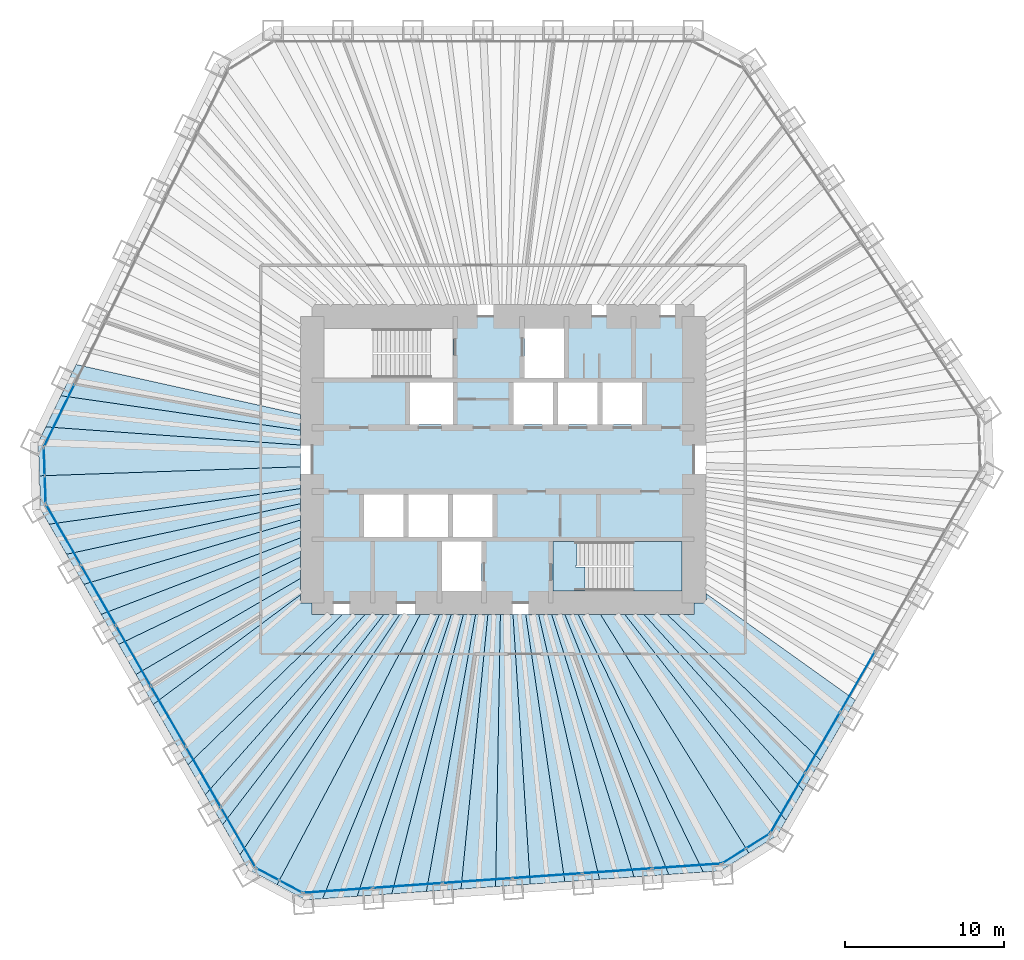
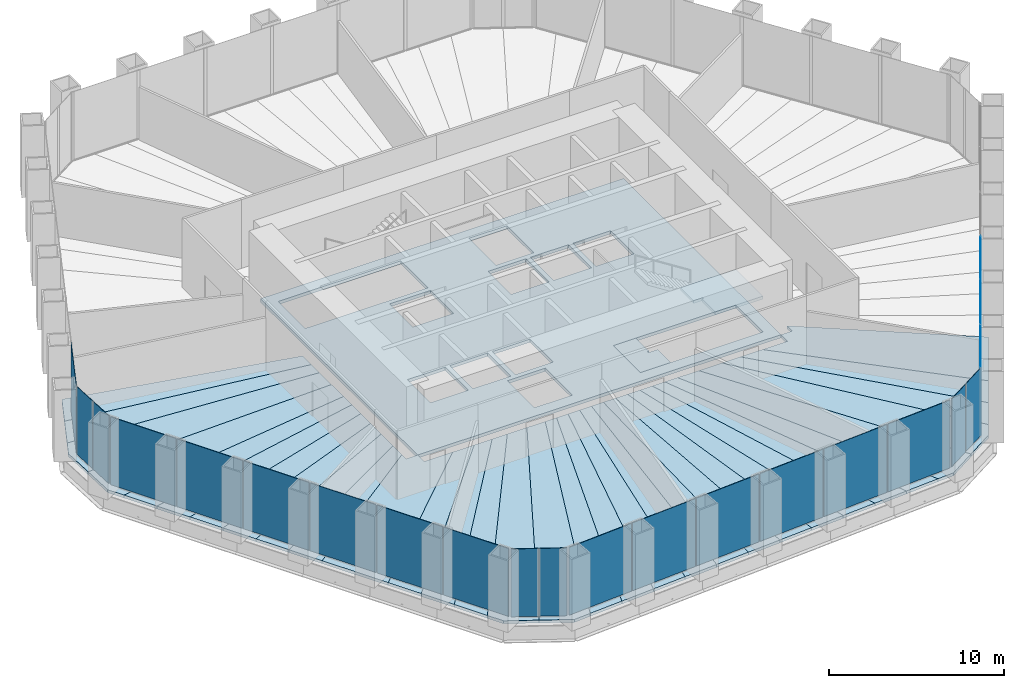
# One storey, part 8 of 13: 35 slabs, 22 plates, 8 elements without a shape of their own.
"""IFC4 building model written with IfcOpenShell, lengths in metres."""

from ifc_helpers import new_model, si_unit, direction, frame, origin, origin_2d, place, context, subcontext, project, spatial, polyline, rectangle, outline, extrude, material, layer, layer_set, type_object, element, aggregate, save


model = new_model("IFC4")

# Units and contexts
model_context = context("Model", 3, precision=1e-05, world=origin(), true_north=direction((0.0, 1.0)))
body_context = subcontext(model_context, "Body", "Model", "MODEL_VIEW")
ifc_project = project(units=[si_unit("LENGTHUNIT", "METRE"), si_unit("AREAUNIT", "SQUARE_METRE"), si_unit("VOLUMEUNIT", "CUBIC_METRE"), si_unit("PLANEANGLEUNIT", "RADIAN"), si_unit("MASSUNIT", "GRAM", prefix="KILO")], contexts=[model_context])

# Site, building, storey
site_placement = place(None, origin())
site = spatial("IfcSite", under=ifc_project, at=site_placement, CompositionType="ELEMENT")
building_placement = place(site_placement, origin())
building = spatial("IfcBuilding", under=site, at=building_placement, Name="Qingtian Harvest Tower", CompositionType="ELEMENT")
storey_placement = place(building_placement, frame((0.0, 0.0, 87.0)))
storey = spatial("IfcBuildingStorey", under=building, at=storey_placement, Name="L17", CompositionType="ELEMENT", Elevation=87.0)

# Slabs
ifc_material_1 = material(Name="Concrete fc' 35 MPa", Category="concrete")
ifc_layer_1 = layer(ifc_material_1, 0.199951171875)
ifc_layer_set_1 = layer_set([ifc_layer_1], Name="Composite floor slab FS20 200")
slab_type_1 = type_object("IfcSlabType", Name="Composite floor slab FS20 200", PredefinedType="FLOOR", material=ifc_layer_set_1)
slab_1_placement = place(storey_placement, frame((0.0, 0.0, -0.199951171875)))
element("IfcSlab", 1, at=slab_1_placement, inside=storey, type_object=slab_type_1, Name="Floor slab L17 panel D01", PredefinedType="FLOOR", context=body_context, shape_type="SweptSolid", body=[
    extrude(outline(polyline([(-29.157470703125, -1.018310546875), (-12.75, -0.447509765625), (-12.75, -1.822998046875), (-28.548583984375, -4.062255859375), (-29.08349609375, -3.135986328125), (-29.157470703125, -1.018310546875)])), origin(), (0.0, 0.0, 1.0), 0.199951171875),
])
slab_2_placement = place(storey_placement, frame((0.0, 0.0, -0.199951171875)))
element("IfcSlab", 2, at=slab_2_placement, inside=storey, type_object=slab_type_1, Name="Floor slab L17 panel D02", PredefinedType="FLOOR", context=body_context, shape_type="SweptSolid", body=[
    extrude(outline(polyline([(-12.75, -2.773681640625), (-27.45751953125, -5.9521484375), (-28.548583984375, -4.062255859375), (-12.75, -1.822998046875), (-12.75, -2.773681640625)])), origin(), (0.0, 0.0, 1.0), 0.199951171875),
])
slab_3_placement = place(storey_placement, frame((0.0, 0.0, -0.199951171875)))
element("IfcSlab", 3, at=slab_3_placement, inside=storey, type_object=slab_type_1, Name="Floor slab L17 panel D03", PredefinedType="FLOOR", context=body_context, shape_type="SweptSolid", body=[
    extrude(outline(polyline([(-12.75, -3.80322265625), (-26.366455078125, -7.842041015625), (-27.45751953125, -5.9521484375), (-12.75, -2.773681640625), (-12.75, -3.80322265625)])), origin(), (0.0, 0.0, 1.0), 0.199951171875),
])
slab_4_placement = place(storey_placement, frame((0.0, 0.0, -0.199951171875)))
element("IfcSlab", 4, at=slab_4_placement, inside=storey, type_object=slab_type_1, Name="Floor slab L17 panel D04", PredefinedType="FLOOR", context=body_context, shape_type="SweptSolid", body=[
    extrude(outline(polyline([(-12.75, -4.921875), (-25.275146484375, -9.732177734375), (-26.366455078125, -7.842041015625), (-12.75, -3.80322265625), (-12.75, -4.921875)])), origin(), (0.0, 0.0, 1.0), 0.199951171875),
])
slab_5_placement = place(storey_placement, frame((0.0, 0.0, -0.199951171875)))
element("IfcSlab", 5, at=slab_5_placement, inside=storey, type_object=slab_type_1, Name="Floor slab L17 panel D05", PredefinedType="FLOOR", context=body_context, shape_type="SweptSolid", body=[
    extrude(outline(polyline([(-12.75, -6.141357421875), (-24.18408203125, -11.6220703125), (-25.275146484375, -9.732177734375), (-12.75, -4.921875), (-12.75, -6.141357421875)])), origin(), (0.0, 0.0, 1.0), 0.199951171875),
])
slab_6_placement = place(storey_placement, frame((0.0, 0.0, -0.199951171875)))
element("IfcSlab", 6, at=slab_6_placement, inside=storey, type_object=slab_type_1, Name="Floor slab L17 panel D06", PredefinedType="FLOOR", context=body_context, shape_type="SweptSolid", body=[
    extrude(outline(polyline([(-12.75, -7.4765625), (-23.0927734375, -13.511962890625), (-24.18408203125, -11.6220703125), (-12.75, -6.141357421875), (-12.75, -7.4765625)])), origin(), (0.0, 0.0, 1.0), 0.199951171875),
])
slab_7_placement = place(storey_placement, frame((0.0, 0.0, -0.199951171875)))
element("IfcSlab", 7, at=slab_7_placement, inside=storey, type_object=slab_type_1, Name="Floor slab L17 panel D07", PredefinedType="FLOOR", context=body_context, shape_type="SweptSolid", body=[
    extrude(outline(polyline([(-12.75, -8.512451171875), (-22.00537109375, -15.3955078125), (-23.0927734375, -13.511962890625), (-12.75, -7.4765625), (-12.75, -8.512451171875)])), origin(), (0.0, 0.0, 1.0), 0.199951171875),
])
slab_8_placement = place(storey_placement, frame((0.0, 0.0, -0.199951171875)))
element("IfcSlab", 8, at=slab_8_placement, inside=storey, type_object=slab_type_1, Name="Floor slab L17 panel D09", PredefinedType="FLOOR", context=body_context, shape_type="SweptSolid", body=[
    extrude(outline(polyline([(-19.81982421875, -19.18115234375), (-22.00537109375, -15.3955078125), (-12.75, -8.512451171875), (-12.75, -9.0), (-12.0, -9.0), (-12.0, -9.75), (-10.1123046875, -9.75), (-19.81982421875, -19.18115234375)])), origin(), (0.0, 0.0, 1.0), 0.199951171875),
])
slab_9_placement = place(storey_placement, frame((0.0, 0.0, -0.199951171875)))
element("IfcSlab", 9, at=slab_9_placement, inside=storey, type_object=slab_type_1, Name="Floor slab L17 panel D10", PredefinedType="FLOOR", context=body_context, shape_type="SweptSolid", body=[
    extrude(outline(polyline([(-8.694580078125, -9.75), (-18.728515625, -21.0712890625), (-19.81982421875, -19.18115234375), (-10.1123046875, -9.75), (-8.694580078125, -9.75)])), origin(), (0.0, 0.0, 1.0), 0.199951171875),
])
slab_10_placement = place(storey_placement, frame((0.0, 0.0, -0.199951171875)))
element("IfcSlab", 10, at=slab_10_placement, inside=storey, type_object=slab_type_1, Name="Floor slab L17 panel D11", PredefinedType="FLOOR", context=body_context, shape_type="SweptSolid", body=[
    extrude(outline(polyline([(-7.511474609375, -9.75), (-17.63720703125, -22.961181640625), (-18.728515625, -21.0712890625), (-8.694580078125, -9.75), (-7.511474609375, -9.75)])), origin(), (0.0, 0.0, 1.0), 0.199951171875),
])
slab_11_placement = place(storey_placement, frame((0.0, 0.0, -0.199951171875)))
element("IfcSlab", 11, at=slab_11_placement, inside=storey, type_object=slab_type_1, Name="Floor slab L17 panel D12", PredefinedType="FLOOR", context=body_context, shape_type="SweptSolid", body=[
    extrude(outline(polyline([(-6.509033203125, -9.75), (-16.546142578125, -24.851318359375), (-17.63720703125, -22.961181640625), (-7.511474609375, -9.75), (-6.509033203125, -9.75)])), origin(), (0.0, 0.0, 1.0), 0.199951171875),
])
slab_12_placement = place(storey_placement, frame((0.0, 0.0, -0.199951171875)))
element("IfcSlab", 12, at=slab_12_placement, inside=storey, type_object=slab_type_1, Name="Floor slab L17 panel D13", PredefinedType="FLOOR", context=body_context, shape_type="SweptSolid", body=[
    extrude(outline(polyline([(-6.509033203125, -9.75), (-5.213623046875, -9.75), (-14.214599609375, -26.73291015625), (-16.01123046875, -25.777587890625), (-16.546142578125, -24.851318359375), (-6.509033203125, -9.75)])), origin(), (0.0, 0.0, 1.0), 0.199951171875),
])
slab_13_placement = place(storey_placement, frame((0.0, 0.0, -0.199951171875)))
element("IfcSlab", 13, at=slab_13_placement, inside=storey, type_object=slab_type_1, Name="Floor slab L17 panel D14", PredefinedType="FLOOR", context=body_context, shape_type="SweptSolid", body=[
    extrude(outline(polyline([(-5.213623046875, -9.75), (-4.006591796875, -9.75), (-11.350341796875, -27.614013671875), (-12.417236328125, -27.688720703125), (-14.214599609375, -26.73291015625), (-5.213623046875, -9.75)])), origin(), (0.0, 0.0, 1.0), 0.199951171875),
])
slab_14_placement = place(storey_placement, frame((0.0, 0.0, -0.199951171875)))
element("IfcSlab", 14, at=slab_14_placement, inside=storey, type_object=slab_type_1, Name="Floor slab L17 panel D15", PredefinedType="FLOOR", context=body_context, shape_type="SweptSolid", body=[
    extrude(outline(polyline([(-3.255859375, -9.75), (-9.17333984375, -27.4619140625), (-11.350341796875, -27.614013671875), (-4.006591796875, -9.75), (-3.255859375, -9.75)])), origin(), (0.0, 0.0, 1.0), 0.199951171875),
])
slab_15_placement = place(storey_placement, frame((0.0, 0.0, -0.199951171875)))
element("IfcSlab", 15, at=slab_15_placement, inside=storey, type_object=slab_type_1, Name="Floor slab L17 panel D16", PredefinedType="FLOOR", context=body_context, shape_type="SweptSolid", body=[
    extrude(outline(polyline([(-2.496826171875, -9.75), (-6.996337890625, -27.3095703125), (-9.17333984375, -27.4619140625), (-3.255859375, -9.75), (-2.496826171875, -9.75)])), origin(), (0.0, 0.0, 1.0), 0.199951171875),
])
slab_16_placement = place(storey_placement, frame((0.0, 0.0, -0.199951171875)))
element("IfcSlab", 16, at=slab_16_placement, inside=storey, type_object=slab_type_1, Name="Floor slab L17 panel D17", PredefinedType="FLOOR", context=body_context, shape_type="SweptSolid", body=[
    extrude(outline(polyline([(-1.729248046875, -9.75), (-4.8193359375, -27.1572265625), (-6.996337890625, -27.3095703125), (-2.496826171875, -9.75), (-1.729248046875, -9.75)])), origin(), (0.0, 0.0, 1.0), 0.199951171875),
])
slab_17_placement = place(storey_placement, frame((0.0, 0.0, -0.199951171875)))
element("IfcSlab", 17, at=slab_17_placement, inside=storey, type_object=slab_type_1, Name="Floor slab L17 panel D18", PredefinedType="FLOOR", context=body_context, shape_type="SweptSolid", body=[
    extrude(outline(polyline([(-0.952880859375, -9.75), (-2.642333984375, -27.005126953125), (-4.8193359375, -27.1572265625), (-1.729248046875, -9.75), (-0.952880859375, -9.75)])), origin(), (0.0, 0.0, 1.0), 0.199951171875),
])
slab_18_placement = place(storey_placement, frame((0.0, 0.0, -0.199951171875)))
element("IfcSlab", 18, at=slab_18_placement, inside=storey, type_object=slab_type_1, Name="Floor slab L17 panel D19", PredefinedType="FLOOR", context=body_context, shape_type="SweptSolid", body=[
    extrude(outline(polyline([(-0.16796875, -9.75), (-0.46533203125, -26.852783203125), (-2.642333984375, -27.005126953125), (-0.952880859375, -9.75), (-0.16796875, -9.75)])), origin(), (0.0, 0.0, 1.0), 0.199951171875),
])
slab_19_placement = place(storey_placement, frame((0.0, 0.0, -0.199951171875)))
element("IfcSlab", 19, at=slab_19_placement, inside=storey, type_object=slab_type_1, Name="Floor slab L17 panel D20", PredefinedType="FLOOR", context=body_context, shape_type="SweptSolid", body=[
    extrude(outline(polyline([(0.626220703125, -9.75), (1.711669921875, -26.70068359375), (-0.46533203125, -26.852783203125), (-0.16796875, -9.75), (0.626220703125, -9.75)])), origin(), (0.0, 0.0, 1.0), 0.199951171875),
])
slab_20_placement = place(storey_placement, frame((0.0, 0.0, -0.199951171875)))
element("IfcSlab", 20, at=slab_20_placement, inside=storey, type_object=slab_type_1, Name="Floor slab L17 panel D21", PredefinedType="FLOOR", context=body_context, shape_type="SweptSolid", body=[
    extrude(outline(polyline([(1.42919921875, -9.75), (3.888671875, -26.54833984375), (1.711669921875, -26.70068359375), (0.626220703125, -9.75), (1.42919921875, -9.75)])), origin(), (0.0, 0.0, 1.0), 0.199951171875),
])
slab_21_placement = place(storey_placement, frame((0.0, 0.0, -0.199951171875)))
element("IfcSlab", 21, at=slab_21_placement, inside=storey, type_object=slab_type_1, Name="Floor slab L17 panel D22", PredefinedType="FLOOR", context=body_context, shape_type="SweptSolid", body=[
    extrude(outline(polyline([(2.24169921875, -9.75), (6.065673828125, -26.396240234375), (3.888671875, -26.54833984375), (1.42919921875, -9.75), (2.24169921875, -9.75)])), origin(), (0.0, 0.0, 1.0), 0.199951171875),
])
slab_22_placement = place(storey_placement, frame((0.0, 0.0, -0.199951171875)))
element("IfcSlab", 22, at=slab_22_placement, inside=storey, type_object=slab_type_1, Name="Floor slab L17 panel D23", PredefinedType="FLOOR", context=body_context, shape_type="SweptSolid", body=[
    extrude(outline(polyline([(3.0634765625, -9.75), (8.24267578125, -26.243896484375), (6.065673828125, -26.396240234375), (2.24169921875, -9.75), (3.0634765625, -9.75)])), origin(), (0.0, 0.0, 1.0), 0.199951171875),
])
slab_23_placement = place(storey_placement, frame((0.0, 0.0, -0.199951171875)))
element("IfcSlab", 23, at=slab_23_placement, inside=storey, type_object=slab_type_1, Name="Floor slab L17 panel D24", PredefinedType="FLOOR", context=body_context, shape_type="SweptSolid", body=[
    extrude(outline(polyline([(3.894775390625, -9.75), (10.419677734375, -26.091796875), (8.24267578125, -26.243896484375), (3.0634765625, -9.75), (3.894775390625, -9.75)])), origin(), (0.0, 0.0, 1.0), 0.199951171875),
])
slab_24_placement = place(storey_placement, frame((0.0, 0.0, -0.199951171875)))
element("IfcSlab", 24, at=slab_24_placement, inside=storey, type_object=slab_type_1, Name="Floor slab L17 panel D25", PredefinedType="FLOOR", context=body_context, shape_type="SweptSolid", body=[
    extrude(outline(polyline([(4.736083984375, -9.75), (12.5966796875, -25.939453125), (10.419677734375, -26.091796875), (3.894775390625, -9.75), (4.736083984375, -9.75)])), origin(), (0.0, 0.0, 1.0), 0.199951171875),
])
slab_25_placement = place(storey_placement, frame((0.0, 0.0, -0.199951171875)))
element("IfcSlab", 25, at=slab_25_placement, inside=storey, type_object=slab_type_1, Name="Floor slab L17 panel D26", PredefinedType="FLOOR", context=body_context, shape_type="SweptSolid", body=[
    extrude(outline(polyline([(4.736083984375, -9.75), (6.136474609375, -9.75), (15.4609375, -24.74169921875), (13.663330078125, -25.864990234375), (12.5966796875, -25.939453125), (4.736083984375, -9.75)])), origin(), (0.0, 0.0, 1.0), 0.199951171875),
])
slab_26_placement = place(storey_placement, frame((0.0, 0.0, -0.199951171875)))
element("IfcSlab", 26, at=slab_26_placement, inside=storey, type_object=slab_type_1, Name="Floor slab L17 panel D27", PredefinedType="FLOOR", context=body_context, shape_type="SweptSolid", body=[
    extrude(outline(polyline([(6.136474609375, -9.75), (7.66748046875, -9.75), (17.79248046875, -22.692626953125), (17.257568359375, -23.618896484375), (15.4609375, -24.74169921875), (6.136474609375, -9.75)])), origin(), (0.0, 0.0, 1.0), 0.199951171875),
])
slab_27_placement = place(storey_placement, frame((0.0, 0.0, -0.199951171875)))
element("IfcSlab", 27, at=slab_27_placement, inside=storey, type_object=slab_type_1, Name="Floor slab L17 panel D28", PredefinedType="FLOOR", context=body_context, shape_type="SweptSolid", body=[
    extrude(outline(polyline([(8.88037109375, -9.75), (18.883544921875, -20.802734375), (17.79248046875, -22.692626953125), (7.66748046875, -9.75), (8.88037109375, -9.75)])), origin(), (0.0, 0.0, 1.0), 0.199951171875),
])
slab_28_placement = place(storey_placement, frame((0.0, 0.0, -0.199951171875)))
element("IfcSlab", 28, at=slab_28_placement, inside=storey, type_object=slab_type_1, Name="Floor slab L17 panel D29", PredefinedType="FLOOR", context=body_context, shape_type="SweptSolid", body=[
    extrude(outline(polyline([(10.337158203125, -9.75), (19.974853515625, -18.91259765625), (18.883544921875, -20.802734375), (8.88037109375, -9.75), (10.337158203125, -9.75)])), origin(), (0.0, 0.0, 1.0), 0.199951171875),
])
slab_29_placement = place(storey_placement, frame((0.0, 0.0, -0.199951171875)))
element("IfcSlab", 29, at=slab_29_placement, inside=storey, type_object=slab_type_1, Name="Floor slab L17 panel D31", PredefinedType="FLOOR", context=body_context, shape_type="SweptSolid", body=[
    extrude(outline(polyline([(12.75, -8.4091796875), (22.159423828125, -15.128662109375), (19.974853515625, -18.91259765625), (10.337158203125, -9.75), (12.0, -9.75), (12.0, -9.0), (12.75, -9.0), (12.75, -8.4091796875)])), origin(), (0.0, 0.0, 1.0), 0.199951171875),
])
slab_30_placement = place(storey_placement, frame((0.0, 0.0, -0.199951171875)))
element("IfcSlab", 30, at=slab_30_placement, inside=storey, type_object=slab_type_1, Name="Floor slab L17 panel D76", PredefinedType="FLOOR", context=body_context, shape_type="SweptSolid", body=[
    extrude(outline(polyline([(-12.75, 1.8525390625), (-27.805908203125, 4.022216796875), (-26.84912109375, 5.98388671875), (-12.75, 2.8505859375), (-12.75, 1.8525390625)])), origin(), (0.0, 0.0, 1.0), 0.199951171875),
])
slab_31_placement = place(storey_placement, frame((0.0, 0.0, -0.199951171875)))
element("IfcSlab", 31, at=slab_31_placement, inside=storey, type_object=slab_type_1, Name="Floor slab L17 panel D77", PredefinedType="FLOOR", context=body_context, shape_type="SweptSolid", body=[
    extrude(outline(polyline([(-12.75, 0.9208984375), (-28.762451171875, 2.060791015625), (-27.805908203125, 4.022216796875), (-12.75, 1.8525390625), (-12.75, 0.9208984375)])), origin(), (0.0, 0.0, 1.0), 0.199951171875),
])
slab_32_placement = place(storey_placement, frame((0.0, 0.0, -0.199951171875)))
element("IfcSlab", 32, at=slab_32_placement, inside=storey, type_object=slab_type_1, Name="Floor slab L17 panel D78", PredefinedType="FLOOR", context=body_context, shape_type="SweptSolid", body=[
    extrude(outline(polyline([(-12.75, 0.9208984375), (-12.75, -0.447509765625), (-29.157470703125, -1.018310546875), (-29.2314453125, 1.099609375), (-28.762451171875, 2.060791015625), (-12.75, 0.9208984375)])), origin(), (0.0, 0.0, 1.0), 0.199951171875),
])
ifc_material_2 = material(Name="Concrete fc' 35 MPa", Category="concrete")
ifc_layer_2 = layer(ifc_material_2, 0.219970703125)
ifc_layer_set_2 = layer_set([ifc_layer_2], Name="Core floor slab CS22 220")
slab_type_2 = type_object("IfcSlabType", Name="Core floor slab CS22 220", PredefinedType="FLOOR", material=ifc_layer_set_2)
slab_33_placement = place(storey_placement, frame((0.0, 0.0, -0.219970703125)))
element("IfcSlab", 33, at=slab_33_placement, inside=storey, type_object=slab_type_2, Name="Core floor slab L17", PredefinedType="FLOOR", context=body_context, shape_type="SweptSolid", body=[
    extrude(outline(polyline([(-12.0, -9.0), (12.0, -9.0), (12.0, 9.0), (-12.0, 9.0), (-12.0, -9.0)]), holes=[polyline([(-11.25, 5.14990234375), (-3.14990234375, 5.14990234375), (-3.14990234375, 8.25), (-11.25, 8.25), (-11.25, 5.14990234375)]), polyline([(3.14990234375, -8.25), (11.25, -8.25), (11.25, -5.14990234375), (3.14990234375, -5.14990234375), (3.14990234375, -8.25)]), polyline([(1.35009765625, 5.14990234375), (3.85009765625, 5.14990234375), (3.85009765625, 8.25), (1.35009765625, 8.25), (1.35009765625, 5.14990234375)]), polyline([(-3.85009765625, -8.25), (-1.35009765625, -8.25), (-1.35009765625, -5.14990234375), (-3.85009765625, -5.14990234375), (-3.85009765625, -8.25)]), polyline([(-5.85009765625, 2.199951171875), (-3.14990234375, 2.199951171875), (-3.14990234375, 4.85009765625), (-5.85009765625, 4.85009765625), (-5.85009765625, 2.199951171875)]), polyline([(0.64990234375, 2.199951171875), (3.14990234375, 2.199951171875), (3.14990234375, 4.85009765625), (0.64990234375, 4.85009765625), (0.64990234375, 2.199951171875)]), polyline([(3.449951171875, 2.199951171875), (5.949951171875, 2.199951171875), (5.949951171875, 4.85009765625), (3.449951171875, 4.85009765625), (3.449951171875, 2.199951171875)]), polyline([(6.25, 2.199951171875), (8.75, 2.199951171875), (8.75, 4.85009765625), (6.25, 4.85009765625), (6.25, 2.199951171875)]), polyline([(-8.75, -4.85009765625), (-6.25, -4.85009765625), (-6.25, -2.199951171875), (-8.75, -2.199951171875), (-8.75, -4.85009765625)]), polyline([(-5.949951171875, -4.85009765625), (-3.449951171875, -4.85009765625), (-3.449951171875, -2.199951171875), (-5.949951171875, -2.199951171875), (-5.949951171875, -4.85009765625)]), polyline([(-3.14990234375, -4.85009765625), (-0.64990234375, -4.85009765625), (-0.64990234375, -2.199951171875), (-3.14990234375, -2.199951171875), (-3.14990234375, -4.85009765625)])]), origin(), (0.0, 0.0, 1.0), 0.219970703125),
])

# Curtain wall, plates
ifc_material_3 = material(Name="Bronze-anodised aluminium curtain wall", Category="aluminium")
curtain_wall_type = type_object("IfcCurtainWallType", Name="Curtain wall CW2 farm reception", PredefinedType="USERDEFINED", material=ifc_material_3)
curtain_wall_1_placement = place(storey_placement, origin())
curtain_wall_1 = element("IfcCurtainWall", 34, at=curtain_wall_1_placement, inside=storey, type_object=curtain_wall_type, Name="Curtain wall CW2 L17 SE0-5", ObjectType="RECESSED CURTAIN WALL", PredefinedType="USERDEFINED")
ifc_material_4 = material(Name="Bronze-tinted laminated insulating glass", Category="glass")
ifc_layer_3 = layer(ifc_material_4, 0.030029296875)
ifc_layer_set_3 = layer_set([ifc_layer_3], Name="Glazed panel CWP tinted IGU")
plate_type = type_object("IfcPlateType", Name="Glazed panel CWP tinted IGU", PredefinedType="CURTAIN_PANEL", material=ifc_layer_set_3)
plate_1_placement = place(storey_placement, frame((22.30419921875, -13.968017578125, 0.06494140625), z_axis=(0.0, 0.0, 1.0), x_axis=(-0.5, -0.866025403784, 0.0)))
plate_1 = element("IfcPlate", 35, at=plate_1_placement, type_object=plate_type, Name="CW2 panel 4.1", PredefinedType="CURTAIN_PANEL", context=body_context, shape_type="SweptSolid", body=[
    extrude(rectangle(XDim=4.339599609375, YDim=0.030029296875, at=origin_2d()), origin(), (0.0, 0.0, 1.0), 4.735107421875),
])
plate_2_placement = place(storey_placement, frame((20.101806640625, -17.782470703125, 0.06494140625), z_axis=(0.0, 0.0, 1.0), x_axis=(-0.5, -0.866025403784, 0.0)))
plate_2 = element("IfcPlate", 36, at=plate_2_placement, type_object=plate_type, Name="CW2 panel 5.1", PredefinedType="CURTAIN_PANEL", context=body_context, shape_type="SweptSolid", body=[
    extrude(rectangle(XDim=4.339599609375, YDim=0.030029296875, at=origin_2d()), origin(), (0.0, 0.0, 1.0), 4.735107421875),
])
plate_3_placement = place(storey_placement, frame((17.90771484375, -21.5830078125, 0.06494140625), z_axis=(0.0, 0.0, 1.0), x_axis=(-0.5, -0.866025403784, 0.0)))
plate_3 = element("IfcPlate", 37, at=plate_3_placement, type_object=plate_type, Name="CW2 panel 6.1", PredefinedType="CURTAIN_PANEL", context=body_context, shape_type="SweptSolid", body=[
    extrude(rectangle(XDim=4.30712890625, YDim=0.030029296875, at=origin_2d()), origin(), (0.0, 0.0, 1.0), 4.735107421875),
])
aggregate(curtain_wall_1, [plate_1, plate_2, plate_3])

curtain_wall_2_placement = place(storey_placement, origin())
curtain_wall_2 = element("IfcCurtainWall", 38, at=curtain_wall_2_placement, inside=storey, type_object=curtain_wall_type, Name="Curtain wall CW2 L17 SEC", ObjectType="RECESSED CURTAIN WALL", PredefinedType="USERDEFINED")
plate_4_placement = place(storey_placement, frame((16.025390625, -23.9873046875, 0.06494140625), z_axis=(0.0, 0.0, 1.0), x_axis=(-0.848048096156, -0.529919264233, 0.0)))
plate_4 = element("IfcPlate", 39, at=plate_4_placement, type_object=plate_type, Name="CW2 panel 1.1", PredefinedType="CURTAIN_PANEL", context=body_context, shape_type="SweptSolid", body=[
    extrude(rectangle(XDim=1.69287109375, YDim=0.030029296875, at=origin_2d()), origin(), (0.0, 0.0, 1.0), 4.735107421875),
])
plate_5_placement = place(storey_placement, frame((14.53466796875, -24.9189453125, 0.06494140625), z_axis=(0.0, 0.0, 1.0), x_axis=(-0.848048096156, -0.529919264233, 0.0)))
plate_5 = element("IfcPlate", 40, at=plate_5_placement, type_object=plate_type, Name="CW2 panel 2.1", PredefinedType="CURTAIN_PANEL", context=body_context, shape_type="SweptSolid", body=[
    extrude(rectangle(XDim=1.69287109375, YDim=0.030029296875, at=origin_2d()), origin(), (0.0, 0.0, 1.0), 4.735107421875),
])
aggregate(curtain_wall_2, [plate_4, plate_5])

curtain_wall_3_placement = place(storey_placement, origin())
curtain_wall_3 = element("IfcCurtainWall", 41, at=curtain_wall_3_placement, inside=storey, type_object=curtain_wall_type, Name="Curtain wall CW2 L17 S0-5", ObjectType="RECESSED CURTAIN WALL", PredefinedType="USERDEFINED")
plate_6_placement = place(storey_placement, frame((11.548583984375, -25.556640625, 0.06494140625), z_axis=(0.0, 0.0, 1.0), x_axis=(-0.99756405026, -0.069756473744, 0.0)))
plate_6 = element("IfcPlate", 42, at=plate_6_placement, type_object=plate_type, Name="CW2 panel 1.1", PredefinedType="CURTAIN_PANEL", context=body_context, shape_type="SweptSolid", body=[
    extrude(rectangle(XDim=4.30712890625, YDim=0.030029296875, at=origin_2d()), origin(), (0.0, 0.0, 1.0), 4.735107421875),
])
plate_7_placement = place(storey_placement, frame((7.1708984375, -25.86279296875, 0.06494140625), z_axis=(0.0, 0.0, 1.0), x_axis=(-0.99756405026, -0.069756473744, 0.0)))
plate_7 = element("IfcPlate", 43, at=plate_7_placement, type_object=plate_type, Name="CW2 panel 2.1", PredefinedType="CURTAIN_PANEL", context=body_context, shape_type="SweptSolid", body=[
    extrude(rectangle(XDim=4.339599609375, YDim=0.030029296875, at=origin_2d()), origin(), (0.0, 0.0, 1.0), 4.735107421875),
])
plate_8_placement = place(storey_placement, frame((2.77685546875, -26.169921875, 0.06494140625), z_axis=(0.0, 0.0, 1.0), x_axis=(-0.99756405026, -0.069756473744, 0.0)))
plate_8 = element("IfcPlate", 44, at=plate_8_placement, type_object=plate_type, Name="CW2 panel 3.1", PredefinedType="CURTAIN_PANEL", context=body_context, shape_type="SweptSolid", body=[
    extrude(rectangle(XDim=4.339599609375, YDim=0.030029296875, at=origin_2d()), origin(), (0.0, 0.0, 1.0), 4.735107421875),
])
plate_9_placement = place(storey_placement, frame((-1.616943359375, -26.477294921875, 0.06494140625), z_axis=(0.0, 0.0, 1.0), x_axis=(-0.99756405026, -0.069756473744, 0.0)))
plate_9 = element("IfcPlate", 45, at=plate_9_placement, type_object=plate_type, Name="CW2 panel 4.1", PredefinedType="CURTAIN_PANEL", context=body_context, shape_type="SweptSolid", body=[
    extrude(rectangle(XDim=4.339599609375, YDim=0.030029296875, at=origin_2d()), origin(), (0.0, 0.0, 1.0), 4.735107421875),
])
plate_10_placement = place(storey_placement, frame((-6.0107421875, -26.784423828125, 0.06494140625), z_axis=(0.0, 0.0, 1.0), x_axis=(-0.99756405026, -0.069756473744, 0.0)))
plate_10 = element("IfcPlate", 46, at=plate_10_placement, type_object=plate_type, Name="CW2 panel 5.1", PredefinedType="CURTAIN_PANEL", context=body_context, shape_type="SweptSolid", body=[
    extrude(rectangle(XDim=4.339599609375, YDim=0.030029296875, at=origin_2d()), origin(), (0.0, 0.0, 1.0), 4.735107421875),
])
plate_11_placement = place(storey_placement, frame((-10.388427734375, -27.090576171875, 0.06494140625), z_axis=(0.0, 0.0, 1.0), x_axis=(-0.99756405026, -0.069756473744, 0.0)))
plate_11 = element("IfcPlate", 47, at=plate_11_placement, type_object=plate_type, Name="CW2 panel 6.1", PredefinedType="CURTAIN_PANEL", context=body_context, shape_type="SweptSolid", body=[
    extrude(rectangle(XDim=4.30712890625, YDim=0.030029296875, at=origin_2d()), origin(), (0.0, 0.0, 1.0), 4.735107421875),
])
aggregate(curtain_wall_3, [plate_6, plate_7, plate_8, plate_9, plate_10, plate_11])

curtain_wall_4_placement = place(storey_placement, origin())
curtain_wall_4 = element("IfcCurtainWall", 48, at=curtain_wall_4_placement, inside=storey, type_object=curtain_wall_type, Name="Curtain wall CW2 L17 SC", ObjectType="RECESSED CURTAIN WALL", PredefinedType="USERDEFINED")
plate_12_placement = place(storey_placement, frame((-13.350830078125, -26.84716796875, 0.06494140625), z_axis=(0.0, 0.0, 1.0), x_axis=(-0.882947592859, 0.469471562786, 0.0)))
plate_12 = element("IfcPlate", 49, at=plate_12_placement, type_object=plate_type, Name="CW2 panel 1.1", PredefinedType="CURTAIN_PANEL", context=body_context, shape_type="SweptSolid", body=[
    extrude(rectangle(XDim=1.56689453125, YDim=0.030029296875, at=origin_2d()), origin(), (0.0, 0.0, 1.0), 4.735107421875),
])
plate_13_placement = place(storey_placement, frame((-14.79150390625, -26.0810546875, 0.06494140625), z_axis=(0.0, 0.0, 1.0), x_axis=(-0.882947592859, 0.469471562786, 0.0)))
plate_13 = element("IfcPlate", 50, at=plate_13_placement, type_object=plate_type, Name="CW2 panel 2.1", PredefinedType="CURTAIN_PANEL", context=body_context, shape_type="SweptSolid", body=[
    extrude(rectangle(XDim=1.56689453125, YDim=0.030029296875, at=origin_2d()), origin(), (0.0, 0.0, 1.0), 4.735107421875),
])
aggregate(curtain_wall_4, [plate_12, plate_13])

curtain_wall_5_placement = place(storey_placement, origin())
curtain_wall_5 = element("IfcCurtainWall", 51, at=curtain_wall_5_placement, inside=storey, type_object=curtain_wall_type, Name="Curtain wall CW2 L17 SW0-5", ObjectType="RECESSED CURTAIN WALL", PredefinedType="USERDEFINED")
plate_14_placement = place(storey_placement, frame((-16.64990234375, -23.76123046875, 0.06494140625), z_axis=(0.0, 0.0, 1.0), x_axis=(-0.5, 0.866025403784, 0.0)))
plate_14 = element("IfcPlate", 52, at=plate_14_placement, type_object=plate_type, Name="CW2 panel 1.1", PredefinedType="CURTAIN_PANEL", context=body_context, shape_type="SweptSolid", body=[
    extrude(rectangle(XDim=4.30712890625, YDim=0.030029296875, at=origin_2d()), origin(), (0.0, 0.0, 1.0), 4.735107421875),
])
plate_15_placement = place(storey_placement, frame((-18.84423828125, -19.9609375, 0.06494140625), z_axis=(0.0, 0.0, 1.0), x_axis=(-0.5, 0.866025403784, 0.0)))
plate_15 = element("IfcPlate", 53, at=plate_15_placement, type_object=plate_type, Name="CW2 panel 2.1", PredefinedType="CURTAIN_PANEL", context=body_context, shape_type="SweptSolid", body=[
    extrude(rectangle(XDim=4.339599609375, YDim=0.030029296875, at=origin_2d()), origin(), (0.0, 0.0, 1.0), 4.735107421875),
])
plate_16_placement = place(storey_placement, frame((-21.04638671875, -16.146484375, 0.06494140625), z_axis=(0.0, 0.0, 1.0), x_axis=(-0.5, 0.866025403784, 0.0)))
plate_16 = element("IfcPlate", 54, at=plate_16_placement, type_object=plate_type, Name="CW2 panel 3.1", PredefinedType="CURTAIN_PANEL", context=body_context, shape_type="SweptSolid", body=[
    extrude(rectangle(XDim=4.339599609375, YDim=0.030029296875, at=origin_2d()), origin(), (0.0, 0.0, 1.0), 4.735107421875),
])
plate_17_placement = place(storey_placement, frame((-23.248779296875, -12.33203125, 0.06494140625), z_axis=(0.0, 0.0, 1.0), x_axis=(-0.5, 0.866025403784, 0.0)))
plate_17 = element("IfcPlate", 55, at=plate_17_placement, type_object=plate_type, Name="CW2 panel 4.1", PredefinedType="CURTAIN_PANEL", context=body_context, shape_type="SweptSolid", body=[
    extrude(rectangle(XDim=4.339599609375, YDim=0.030029296875, at=origin_2d()), origin(), (0.0, 0.0, 1.0), 4.735107421875),
])
plate_18_placement = place(storey_placement, frame((-25.451171875, -8.517333984375, 0.06494140625), z_axis=(0.0, 0.0, 1.0), x_axis=(-0.5, 0.866025403784, 0.0)))
plate_18 = element("IfcPlate", 56, at=plate_18_placement, type_object=plate_type, Name="CW2 panel 5.1", PredefinedType="CURTAIN_PANEL", context=body_context, shape_type="SweptSolid", body=[
    extrude(rectangle(XDim=4.339599609375, YDim=0.030029296875, at=origin_2d()), origin(), (0.0, 0.0, 1.0), 4.735107421875),
])
plate_19_placement = place(storey_placement, frame((-27.645263671875, -4.717041015625, 0.06494140625), z_axis=(0.0, 0.0, 1.0), x_axis=(-0.5, 0.866025403784, 0.0)))
plate_19 = element("IfcPlate", 57, at=plate_19_placement, type_object=plate_type, Name="CW2 panel 6.1", PredefinedType="CURTAIN_PANEL", context=body_context, shape_type="SweptSolid", body=[
    extrude(rectangle(XDim=4.30712890625, YDim=0.030029296875, at=origin_2d()), origin(), (0.0, 0.0, 1.0), 4.735107421875),
])
aggregate(curtain_wall_5, [plate_14, plate_15, plate_16, plate_17, plate_18, plate_19])

curtain_wall_6_placement = place(storey_placement, origin())
curtain_wall_6 = element("IfcCurtainWall", 58, at=curtain_wall_6_placement, inside=storey, type_object=curtain_wall_type, Name="Curtain wall CW2 L17 SWC", ObjectType="RECESSED CURTAIN WALL", PredefinedType="USERDEFINED")
plate_20_placement = place(storey_placement, frame((-28.786376953125, -1.884765625, 0.06494140625), z_axis=(0.0, 0.0, 1.0), x_axis=(-0.034899496703, 0.999390827019, 0.0)))
plate_20 = element("IfcPlate", 59, at=plate_20_placement, type_object=plate_type, Name="CW2 panel 1.1", PredefinedType="CURTAIN_PANEL", context=body_context, shape_type="SweptSolid", body=[
    extrude(rectangle(XDim=1.69287109375, YDim=0.030029296875, at=origin_2d()), origin(), (0.0, 0.0, 1.0), 4.735107421875),
])
plate_21_placement = place(storey_placement, frame((-28.84765625, -0.1279296875, 0.06494140625), z_axis=(0.0, 0.0, 1.0), x_axis=(-0.034899496703, 0.999390827019, 0.0)))
plate_21 = element("IfcPlate", 60, at=plate_21_placement, type_object=plate_type, Name="CW2 panel 2.1", PredefinedType="CURTAIN_PANEL", context=body_context, shape_type="SweptSolid", body=[
    extrude(rectangle(XDim=1.69287109375, YDim=0.030029296875, at=origin_2d()), origin(), (0.0, 0.0, 1.0), 4.735107421875),
])
aggregate(curtain_wall_6, [plate_20, plate_21])

# Curtain wall, plate
curtain_wall_7_placement = place(storey_placement, origin())
curtain_wall_7 = element("IfcCurtainWall", 61, at=curtain_wall_7_placement, inside=storey, type_object=curtain_wall_type, Name="Curtain wall CW2 L17 NW0-5", ObjectType="RECESSED CURTAIN WALL", PredefinedType="USERDEFINED")
plate_22_placement = place(storey_placement, frame((-27.906982421875, 2.777099609375, 0.06494140625), z_axis=(0.0, 0.0, 1.0), x_axis=(0.438371146789, 0.898794046299, 0.0)))
plate_22 = element("IfcPlate", 62, at=plate_22_placement, type_object=plate_type, Name="CW2 panel 1.1", PredefinedType="CURTAIN_PANEL", context=body_context, shape_type="SweptSolid", body=[
    extrude(rectangle(XDim=4.30712890625, YDim=0.030029296875, at=origin_2d()), origin(), (0.0, 0.0, 1.0), 4.735107421875),
])
aggregate(curtain_wall_7, [plate_22])

# Stair, slabs
ifc_material_5 = material(Name="Concrete fc' 35 MPa", Category="concrete")
stair_type = type_object("IfcStairType", Name="Special stair ST2 5000", PredefinedType="HALF_TURN_STAIR", material=ifc_material_5)
stair_placement = place(storey_placement, origin())
stair = element("IfcStair", 63, at=stair_placement, inside=storey, type_object=stair_type, Name="Special stair S2 L17", PredefinedType="HALF_TURN_STAIR")
ifc_material_6 = material(Name="Concrete fc' 35 MPa", Category="concrete")
ifc_layer_4 = layer(ifc_material_6, 0.199951171875)
ifc_layer_set_4 = layer_set([ifc_layer_4], Name="Stair landing SL2 200")
slab_type_3 = type_object("IfcSlabType", Name="Stair landing SL2 200", PredefinedType="LANDING", material=ifc_layer_set_4)
slab_34_placement = place(storey_placement, frame((0.0, 0.0, -0.199951171875)))
slab_34 = element("IfcSlab", 64, at=slab_34_placement, type_object=slab_type_3, Name="S2 landing 1", PredefinedType="LANDING", context=body_context, shape_type="SweptSolid", body=[
    extrude(outline(polyline([(5.155029296875, -8.25), (3.14990234375, -8.25), (3.14990234375, -5.14990234375), (4.64990234375, -5.14990234375), (4.64990234375, -6.64990234375), (4.550048828125, -6.64990234375), (4.550048828125, -6.75), (5.155029296875, -6.75), (5.155029296875, -8.25)])), origin(), (0.0, 0.0, 1.0), 0.199951171875),
])
slab_35_placement = place(storey_placement, frame((0.0, 0.0, 2.300048828125)))
slab_35 = element("IfcSlab", 65, at=slab_35_placement, type_object=slab_type_3, Name="S2 landing 2", PredefinedType="LANDING", context=body_context, shape_type="SweptSolid", body=[
    extrude(outline(polyline([(8.090087890625, -8.25), (8.090087890625, -6.75), (8.18994140625, -6.75), (8.18994140625, -6.64990234375), (7.5849609375, -6.64990234375), (7.5849609375, -5.14990234375), (11.25, -5.14990234375), (11.25, -8.25), (8.090087890625, -8.25)])), origin(), (0.0, 0.0, 1.0), 0.199951171875),
])
aggregate(stair, [slab_34, slab_35])

save(model, "model.ifc")
